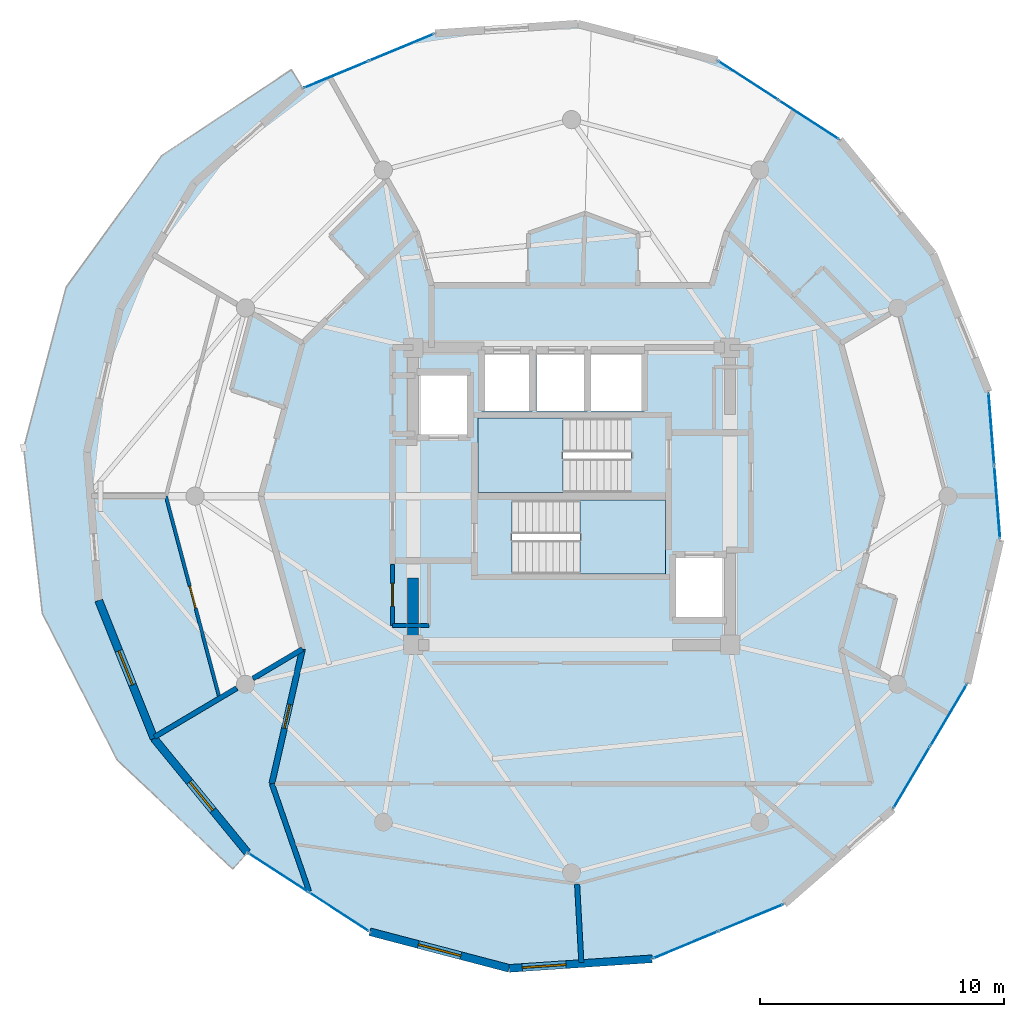
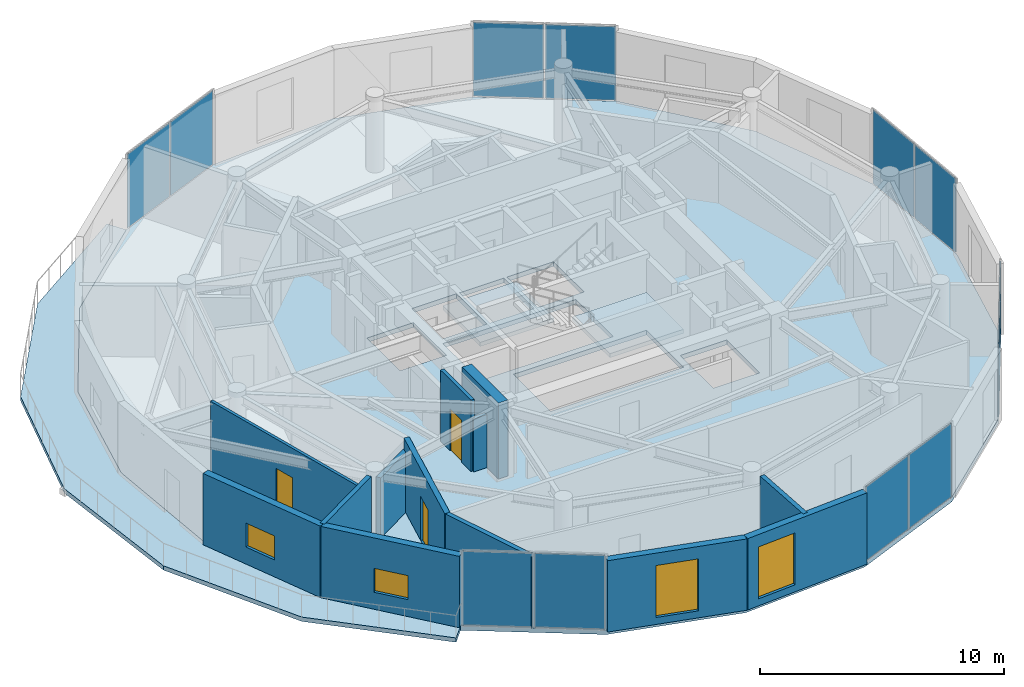
# One storey, part 11 of 17: 13 walls, 12 plates, 4 slabs, 4 windows, 3 doors, 7 openings, 8 elements without a shape of their own.
"""IFC4 building model written with IfcOpenShell, lengths in metres."""

import ifcopenshell
import ifcopenshell.guid

model = None  # the IFC model being written
_history = None  # IfcOwnerHistory: only IFC2X3 demands one
_inside = {}  # id of a spatial element -> (the spatial element, [elements in it])
_under = {}  # id of a project, library or spatial element -> (it, [spatial elements below it])
_declared = {}  # id of a project -> (the project, [libraries it declares])
_typed = {}  # id of a type object -> (the type object, [elements of that type])
_made_of = {}  # id of a material, layer set ... -> (it, [elements and type objects made of it])


def new_model(schema):
    """Start an empty IFC model of exactly this schema.

    Asked for "IFC4X3", IfcOpenShell would pick the latest addendum, in which some entities
    have other attributes; the version numbers below select the first issue.
    IFC2X3 requires an IfcOwnerHistory on every rooted entity: one is made here for all.
    """
    global model, _history
    if schema == "IFC4X3":
        model = ifcopenshell.file(schema_version=(4, 3, 0, 0))
    else:
        model = ifcopenshell.file(schema=schema)
    _inside.clear()
    _under.clear()
    _declared.clear()
    _typed.clear()
    _made_of.clear()
    _history = None
    if model.schema == "IFC2X3":
        org = make("IfcOrganization", Name="unknown")
        user = make(
            "IfcPersonAndOrganization",
            ThePerson=make("IfcPerson", FamilyName="unknown"),
            TheOrganization=org,
        )
        app = make(
            "IfcApplication",
            ApplicationDeveloper=org,
            Version="unknown",
            ApplicationFullName="unknown",
            ApplicationIdentifier="unknown",
        )
        _history = make(
            "IfcOwnerHistory",
            OwningUser=user,
            OwningApplication=app,
            ChangeAction="ADDED",
            CreationDate=0,
        )
    return model


def make(cls, **values):
    """One entity of the class cls with the attributes given. An attribute that is None is left unset."""
    return model.create_entity(
        cls, **{name: value for name, value in values.items() if value is not None}
    )


def rooted(cls, **values):
    """An entity with a GlobalId (a new one), such as an element, a storey or a relation."""
    return make(cls, GlobalId=ifcopenshell.guid.new(), OwnerHistory=_history, **values)


def si_unit(unit_type, name, prefix=None):
    """IfcSIUnit, for example si_unit("LENGTHUNIT", "METRE", prefix="MILLI")."""
    return make("IfcSIUnit", UnitType=unit_type, Prefix=prefix, Name=name)


def assignment(units):
    """IfcUnitAssignment: the units of a project."""
    return None if units is None else make("IfcUnitAssignment", Units=units)


def point(xyz):
    """IfcCartesianPoint."""
    return None if xyz is None else make("IfcCartesianPoint", Coordinates=xyz)


def direction(xyz):
    """IfcDirection."""
    return None if xyz is None else make("IfcDirection", DirectionRatios=xyz)


def frame(location, z_axis=None, x_axis=None):
    """IfcAxis2Placement3D, a coordinate frame: its origin and axes. An axis left out is left unset."""
    return make(
        "IfcAxis2Placement3D",
        Location=point(location),
        Axis=direction(z_axis),
        RefDirection=direction(x_axis),
    )


def frame_2d(location, x_axis=None):
    """IfcAxis2Placement2D, a coordinate frame in the plane: its origin and x axis."""
    return make(
        "IfcAxis2Placement2D", Location=point(location), RefDirection=direction(x_axis)
    )


def origin():
    """The frame at (0, 0, 0) with its axes left unset."""
    return frame((0.0, 0.0, 0.0))


def origin_2d():
    """The frame at (0, 0) in the plane with its x axis left unset."""
    return frame_2d((0.0, 0.0))


def place(relative_to, where):
    """IfcLocalPlacement: puts the frame where relative to a parent placement (None: the world)."""
    return make(
        "IfcLocalPlacement", PlacementRelTo=relative_to, RelativePlacement=where
    )


def context(
    kind, dimensions, precision=None, world=None, true_north=None, identifier=None
):
    """IfcGeometricRepresentationContext, for example the 3D "Model" context."""
    return make(
        "IfcGeometricRepresentationContext",
        ContextIdentifier=identifier,
        ContextType=kind,
        CoordinateSpaceDimension=dimensions,
        Precision=precision,
        WorldCoordinateSystem=world,
        TrueNorth=true_north,
    )


def subcontext(parent, identifier, kind, view, scale=None):
    """IfcGeometricRepresentationSubContext, for example "Body" below "Model"."""
    return make(
        "IfcGeometricRepresentationSubContext",
        ContextIdentifier=identifier,
        ContextType=kind,
        ParentContext=parent,
        TargetScale=scale,
        TargetView=view,
    )


def project(units=None, contexts=None):
    """IfcProject with its units and contexts."""
    return rooted(
        "IfcProject",
        Name="project",
        RepresentationContexts=contexts,
        UnitsInContext=assignment(units),
    )


def spatial(cls, under=None, at=None, **own):
    """A site, building, storey or space (cls), placed at a placement, below another one or the project."""
    s = rooted(cls, ObjectPlacement=at, **own)
    if under is not None:
        _under.setdefault(under.id(), (under, []))[1].append(s)
    return s


def polyline(points):
    """IfcPolyline through the points."""
    return make("IfcPolyline", Points=[point(p) for p in points])


def profile(cls, at=None, kind="AREA", **sizes):
    """A parametric profile (cls). Its sizes go by their IFC names, for example OverallWidth=200.0."""
    return make(cls, ProfileType=kind, Position=at, **sizes)


def rectangle(**sizes):
    """IfcRectangleProfileDef."""
    return profile("IfcRectangleProfileDef", **sizes)


def outline(outer, holes=None, kind="AREA"):
    """IfcArbitraryClosedProfileDef: a profile drawn as a closed curve; with holes, ...WithVoids."""
    if holes is None:
        return make("IfcArbitraryClosedProfileDef", ProfileType=kind, OuterCurve=outer)
    return make(
        "IfcArbitraryProfileDefWithVoids",
        ProfileType=kind,
        OuterCurve=outer,
        InnerCurves=holes,
    )


def extrude(swept, where, along, depth):
    """IfcExtrudedAreaSolid: the profile swept, set in the frame where, extruded along a direction by depth."""
    return make(
        "IfcExtrudedAreaSolid",
        SweptArea=swept,
        Position=where,
        ExtrudedDirection=direction(along),
        Depth=depth,
    )


def shape(context_of_items, identifier, shape_type, items):
    """IfcShapeRepresentation: the items that make up one representation, for example the "Body"."""
    return make(
        "IfcShapeRepresentation",
        ContextOfItems=context_of_items,
        RepresentationIdentifier=identifier,
        RepresentationType=shape_type,
        Items=items,
    )


def source(mapping_origin, context_of_items, identifier, shape_type, items):
    """IfcRepresentationMap: a shape defined once, which mapped items show again and again."""
    return make(
        "IfcRepresentationMap",
        MappingOrigin=mapping_origin,
        MappedRepresentation=shape(context_of_items, identifier, shape_type, items),
    )


def transform(
    local_origin,
    x_axis=None,
    y_axis=None,
    z_axis=None,
    scale=None,
    scale2=None,
    scale3=None,
    uniform=True,
):
    """IfcCartesianTransformationOperator3D, or its non-uniform kind. x_axis, y_axis, z_axis: its Axis1, 2, 3."""
    if uniform:
        return make(
            "IfcCartesianTransformationOperator3D",
            Axis1=direction(x_axis),
            Axis2=direction(y_axis),
            LocalOrigin=point(local_origin),
            Scale=scale,
            Axis3=direction(z_axis),
        )
    return make(
        "IfcCartesianTransformationOperator3DnonUniform",
        Axis1=direction(x_axis),
        Axis2=direction(y_axis),
        LocalOrigin=point(local_origin),
        Scale=scale,
        Axis3=direction(z_axis),
        Scale2=scale2,
        Scale3=scale3,
    )


def mapped(mapping_source, mapping_target):
    """IfcMappedItem: shows the shape of a source again, moved by a transform."""
    return make(
        "IfcMappedItem", MappingSource=mapping_source, MappingTarget=mapping_target
    )


def material(Name=None, Category=None):
    """IfcMaterial."""
    return make("IfcMaterial", Name=Name, Category=Category)


def layer(
    of_material, thickness, ventilated=None, Name=None, Category=None, Priority=None
):
    """IfcMaterialLayer: one layer of a wall or slab, of a material (None: an air gap)."""
    return make(
        "IfcMaterialLayer",
        Material=of_material,
        LayerThickness=thickness,
        IsVentilated=ventilated,
        Name=Name,
        Category=Category,
        Priority=Priority,
    )


def layer_set(layers, Name=None):
    """IfcMaterialLayerSet."""
    return make("IfcMaterialLayerSet", MaterialLayers=layers, LayerSetName=Name)


def made_of(thing, what):
    """Note that an element or type object is made of a material, layer set ...; save() writes the relation."""
    if what is not None:
        _made_of.setdefault(what.id(), (what, []))[1].append(thing)
    return thing


def type_object(cls, material=None, **own):
    """A type object (cls), such as IfcWallType, which elements share."""
    return made_of(rooted(cls, **own), material)


def element(
    cls,
    number,
    at=None,
    inside=None,
    cuts=None,
    type_object=None,
    material=None,
    context=None,
    identifier="Body",
    shape_type=None,
    held_by="IfcProductDefinitionShape",
    body=None,
    shapes=None,
    **own,
):
    """One element of the class cls, such as IfcWall. Its Tag is "e" and its number.

    at: its placement. inside: the storey or other place that contains it. cuts: it is an
    opening in that element (IfcRelVoidsElement). A single representation is given by context,
    identifier, shape_type and body (its items); several are given by shapes. held_by: the class
    of the entity that holds the representations. save() writes the other relations.
    """
    e = rooted(cls, Tag="e%d" % number, ObjectPlacement=at, **own)
    if body is not None:
        shapes = [shape(context, identifier, shape_type, body)]
    if shapes is not None:
        e.Representation = make(held_by, Representations=shapes)
    if inside is not None:
        _inside.setdefault(inside.id(), (inside, []))[1].append(e)
    if cuts is not None:
        rooted(
            "IfcRelVoidsElement", RelatingBuildingElement=cuts, RelatedOpeningElement=e
        )
    if type_object is not None:
        _typed.setdefault(type_object.id(), (type_object, []))[1].append(e)
    return made_of(e, material)


def fill(opening, filler):
    """IfcRelFillsElement: the door or window that sits in an opening."""
    return rooted(
        "IfcRelFillsElement",
        RelatingOpeningElement=opening,
        RelatedBuildingElement=filler,
    )


def aggregate(whole, parts):
    """IfcRelAggregates: a whole, such as a stair, and the parts it consists of."""
    return rooted("IfcRelAggregates", RelatingObject=whole, RelatedObjects=parts)


def save(model, path):
    """Write the relations noted so far, then the file.

    IfcRelAggregates (storeys below a building ...), IfcRelContainedInSpatialStructure (elements
    in a storey), IfcRelDefinesByType, IfcRelAssociatesMaterial and IfcRelDeclares: one each for
    every whole, place, type object, material and project.
    """
    for whole, parts in _under.values():
        aggregate(whole, parts)
    for where, things in _inside.values():
        rooted(
            "IfcRelContainedInSpatialStructure",
            RelatedElements=things,
            RelatingStructure=where,
        )
    for kind, things in _typed.values():
        rooted("IfcRelDefinesByType", RelatedObjects=things, RelatingType=kind)
    for what, things in _made_of.values():
        rooted("IfcRelAssociatesMaterial", RelatedObjects=things, RelatingMaterial=what)
    for by, libraries in _declared.values():
        rooted("IfcRelDeclares", RelatingContext=by, RelatedDefinitions=libraries)
    model.write(path)


model = new_model("IFC4")

# Units and contexts
model_context = context("Model", 3, precision=1e-05, world=origin(), true_north=direction((0.0, 1.0)))
body_context = subcontext(model_context, "Body", "Model", "MODEL_VIEW")
ifc_project = project(units=[si_unit("LENGTHUNIT", "METRE"), si_unit("AREAUNIT", "SQUARE_METRE"), si_unit("VOLUMEUNIT", "CUBIC_METRE"), si_unit("PLANEANGLEUNIT", "RADIAN"), si_unit("MASSUNIT", "GRAM", prefix="KILO")], contexts=[model_context])

# Site, building, storey
site_placement = place(None, origin())
site = spatial("IfcSite", under=ifc_project, at=site_placement, CompositionType="ELEMENT")
building_placement = place(site_placement, origin())
building = spatial("IfcBuilding", under=site, at=building_placement, Name="Solvirekh Grand Hotel", CompositionType="ELEMENT")
storey_placement = place(building_placement, frame((0.0, 0.0, 246.800048828125)))
storey = spatial("IfcBuildingStorey", under=building, at=storey_placement, Name="L64", CompositionType="ELEMENT", Elevation=246.800048828125)

# Slab
ifc_material_1 = material(Name="Concrete C50/60", Category="concrete")
ifc_layer_1 = layer(ifc_material_1, 0.215087890625)
ifc_layer_set_1 = layer_set([ifc_layer_1], Name="Concrete C50/60")
slab_type_1 = type_object("IfcSlabType", Name="ExtCrescentBalc_215", PredefinedType="FLOOR", material=ifc_layer_set_1)
slab_1_placement = place(storey_placement, frame((0.0, 0.0, -0.215087890625)))
element("IfcSlab", 1, at=slab_1_placement, inside=storey, type_object=slab_type_1, Name="L64 sweeping crescent balcony slab", PredefinedType="FLOOR", context=body_context, shape_type="SweptSolid", body=[
    extrude(outline(polyline([(-11.5009765625, 17.4970703125), (-16.827880859375, 13.9609375), (-20.739013671875, 8.573974609375), (-22.47998046875, 1.98291015625), (-21.714111328125, -4.822998046875), (-18.64208984375, -10.827880859375), (-13.902099609375, -15.29296875), (-13.301025390625, -14.623046875), (-17.135009765625, -9.93896484375), (-19.405029296875, -4.281982421875), (-19.886962890625, 1.794921875), (-18.535888671875, 7.695068359375), (-15.48193359375, 12.842041015625), (-11.02587890625, 16.73291015625), (-11.5009765625, 17.4970703125)])), origin(), (0.0, 0.0, 1.0), 0.215087890625),
])

# Stair, slab
ifc_material_2 = material(Name="Concrete C40/50", Category="concrete")
stair_type = type_object("IfcStairType", Name="Stair_Core_1450", PredefinedType="HALF_TURN_STAIR", material=ifc_material_2)
stair_1_placement = place(storey_placement, origin())
stair_1 = element("IfcStair", 2, at=stair_1_placement, inside=storey, type_object=stair_type, Name="L64 Enclosed exit stair ST-1", PredefinedType="HALF_TURN_STAIR")
ifc_layer_2 = layer(ifc_material_2, 0.199951171875)
ifc_layer_set_2 = layer_set([ifc_layer_2], Name="Concrete C40/50")
slab_type_2 = type_object("IfcSlabType", Name="Landing_Stair_200", PredefinedType="LANDING", material=ifc_layer_set_2)
slab_2_placement = place(storey_placement, frame((0.0, 0.0, 1.699951171875)))
slab_2 = element("IfcSlab", 3, at=slab_2_placement, type_object=slab_type_2, Name="ST-1 landing 1", PredefinedType="LANDING", context=body_context, shape_type="SweptSolid", body=[
    extrude(outline(polyline([(0.35009765625, -3.199951171875), (3.85009765625, -3.199951171875), (3.85009765625, -0.14990234375), (0.35009765625, -0.14990234375), (0.35009765625, -3.199951171875)])), origin(), (0.0, 0.0, 1.0), 0.199951171875),
])
aggregate(stair_1, [slab_2])

stair_2_placement = place(storey_placement, origin())
stair_2 = element("IfcStair", 4, at=stair_2_placement, inside=storey, type_object=stair_type, Name="L64 Enclosed exit stair ST-2", PredefinedType="HALF_TURN_STAIR")
slab_3_placement = place(storey_placement, frame((0.0, 0.0, 1.699951171875)))
slab_3 = element("IfcSlab", 5, at=slab_3_placement, type_object=slab_type_2, Name="ST-2 landing 1", PredefinedType="LANDING", context=body_context, shape_type="SweptSolid", body=[
    extrude(outline(polyline([(-0.35009765625, 3.199951171875), (-3.85009765625, 3.199951171875), (-3.85009765625, 0.14990234375), (-0.35009765625, 0.14990234375), (-0.35009765625, 3.199951171875)])), origin(), (0.0, 0.0, 1.0), 0.199951171875),
])
aggregate(stair_2, [slab_3])

# Slab
ifc_layer_3 = layer(ifc_material_2, 0.22998046875)
ifc_layer_set_3 = layer_set([ifc_layer_3], Name="Concrete C40/50")
slab_type_3 = type_object("IfcSlabType", Name="Slab_GuestZ4_230", PredefinedType="FLOOR", material=ifc_layer_set_3)
slab_4_placement = place(storey_placement, frame((0.0, 0.0, -0.22998046875)))
element("IfcSlab", 6, at=slab_4_placement, inside=storey, type_object=slab_type_3, Name="L64 structural floor slab", PredefinedType="FLOOR", context=body_context, shape_type="SweptSolid", body=[
    extrude(outline(polyline([(3.302978515625, -18.985107421875), (8.72607421875, -16.73291015625), (13.181884765625, -12.842041015625), (16.236083984375, -7.695068359375), (17.5869140625, -1.794921875), (17.10498046875, 4.281982421875), (14.8349609375, 9.93896484375), (11.0009765625, 14.623046875), (5.97705078125, 17.8759765625), (0.256103515625, 19.37890625), (-5.60302734375, 18.985107421875), (-11.02587890625, 16.73291015625), (-15.48193359375, 12.842041015625), (-18.535888671875, 7.695068359375), (-19.886962890625, 1.794921875), (-19.405029296875, -4.281982421875), (-17.135009765625, -9.93896484375), (-13.301025390625, -14.623046875), (-8.277099609375, -17.8759765625), (-2.555908203125, -19.37890625), (3.302978515625, -18.985107421875)]), holes=[polyline([(-2.444091796875, -0.14990234375), (3.85009765625, -0.14990234375), (3.85009765625, -3.199951171875), (-2.444091796875, -3.199951171875), (-2.444091796875, -0.14990234375)]), polyline([(2.444091796875, 0.14990234375), (-3.85009765625, 0.14990234375), (-3.85009765625, 3.199951171875), (2.444091796875, 3.199951171875), (2.444091796875, 0.14990234375)]), polyline([(-3.699951171875, 6.0), (-1.60009765625, 6.0), (-1.60009765625, 3.5), (-3.699951171875, 3.5), (-3.699951171875, 6.0)]), polyline([(-1.449951171875, 6.0), (0.64990234375, 6.0), (0.64990234375, 3.5), (-1.449951171875, 3.5), (-1.449951171875, 6.0)]), polyline([(0.800048828125, 6.0), (3.0, 6.0), (3.0, 3.5), (0.800048828125, 3.5), (0.800048828125, 6.0)]), polyline([(-6.35009765625, 5.10009765625), (-4.14990234375, 5.10009765625), (-4.14990234375, 2.39990234375), (-6.35009765625, 2.39990234375), (-6.35009765625, 5.10009765625)]), polyline([(4.14990234375, -2.39990234375), (6.35009765625, -2.39990234375), (6.35009765625, -5.10009765625), (4.14990234375, -5.10009765625), (4.14990234375, -2.39990234375)])]), origin(), (0.0, 0.0, 1.0), 0.22998046875),
])

# Curtain wall, plates
ifc_material_3 = material(Name="Anodized Bronze Aluminium 6063-T6", Category="aluminium")
ifc_layer_4 = layer(ifc_material_3, 0.159912109375)
ifc_layer_set_4 = layer_set([ifc_layer_4], Name="Anodized Bronze Aluminium 6063-T6")
curtain_wall_type = type_object("IfcCurtainWallType", Name="CW_Sys4_HighZoneFlushBronzeCW", PredefinedType="NOTDEFINED", material=ifc_layer_set_4)
curtain_wall_1_placement = place(storey_placement, origin())
curtain_wall_1 = element("IfcCurtainWall", 7, at=curtain_wall_1_placement, inside=storey, type_object=curtain_wall_type, Name="L64 unitised bronze-glass curtain wall CW-L64-C01", PredefinedType="NOTDEFINED")
ifc_material_4 = material(Name="Low-E Tinted Bronze Laminated Glass", Category="aluminium")
ifc_layer_5 = layer(ifc_material_4, 0.033935546875)
ifc_layer_set_5 = layer_set([ifc_layer_5], Name="Low-E Tinted Bronze Laminated Glass")
plate_type = type_object("IfcPlateType", Name="CWPanel_High_34", PredefinedType="CURTAIN_PANEL", material=ifc_layer_set_5)
shared_shape_1 = source(origin(), body_context, "Body", "SweptSolid", [
    extrude(rectangle(XDim=2.845947265625, YDim=0.033935546875, at=origin_2d()), origin(), (0.0, 0.0, 1.0), 3.68994140625),
])
plate_1_placement = place(storey_placement, frame((4.672607421875, -18.416259765625, 0.054931640625), z_axis=(0.0, 0.0, 1.0), x_axis=(0.923534766126, 0.383514713871, 0.0)))
plate_1 = element("IfcPlate", 8, at=plate_1_placement, type_object=plate_type, Name="U04 panel 1.1", PredefinedType="CURTAIN_PANEL", context=body_context, shape_type="MappedRepresentation", body=[
    mapped(shared_shape_1, transform((0.0, 0.0, 0.0), x_axis=(1.0, 0.0, 0.0), y_axis=(0.0, 1.0, 0.0), z_axis=(0.0, 0.0, 1.0), scale=1.0)),
])
plate_2_placement = place(storey_placement, frame((7.3564453125, -17.3017578125, 0.054931640625), z_axis=(0.0, 0.0, 1.0), x_axis=(0.923534766126, 0.383514713871, 0.0)))
plate_2 = element("IfcPlate", 9, at=plate_2_placement, type_object=plate_type, Name="U04 panel 2.1", PredefinedType="CURTAIN_PANEL", context=body_context, shape_type="MappedRepresentation", body=[
    mapped(shared_shape_1, transform((0.0, 0.0, 0.0), x_axis=(1.0, 0.0, 0.0), y_axis=(0.0, 1.0, 0.0), z_axis=(0.0, 0.0, 1.0), scale=1.0)),
])
aggregate(curtain_wall_1, [plate_1, plate_2])

curtain_wall_2_placement = place(storey_placement, origin())
curtain_wall_2 = element("IfcCurtainWall", 10, at=curtain_wall_2_placement, inside=storey, type_object=curtain_wall_type, Name="L64 unitised bronze-glass curtain wall CW-L64-C11", PredefinedType="NOTDEFINED")
plate_3_placement = place(storey_placement, frame((-6.97265625, 18.416259765625, 0.054931640625), z_axis=(0.0, 0.0, 1.0), x_axis=(-0.923534766126, -0.383514713871, 0.0)))
plate_3 = element("IfcPlate", 11, at=plate_3_placement, type_object=plate_type, Name="U04 panel 1.1", PredefinedType="CURTAIN_PANEL", context=body_context, shape_type="MappedRepresentation", body=[
    mapped(shared_shape_1, transform((0.0, 0.0, 0.0), x_axis=(1.0, 0.0, 0.0), y_axis=(0.0, 1.0, 0.0), z_axis=(0.0, 0.0, 1.0), scale=1.0)),
])
plate_4_placement = place(storey_placement, frame((-9.656494140625, 17.3017578125, 0.054931640625), z_axis=(0.0, 0.0, 1.0), x_axis=(-0.923534766126, -0.383514713871, 0.0)))
plate_4 = element("IfcPlate", 12, at=plate_4_placement, type_object=plate_type, Name="U04 panel 2.1", PredefinedType="CURTAIN_PANEL", context=body_context, shape_type="MappedRepresentation", body=[
    mapped(shared_shape_1, transform((0.0, 0.0, 0.0), x_axis=(1.0, 0.0, 0.0), y_axis=(0.0, 1.0, 0.0), z_axis=(0.0, 0.0, 1.0), scale=1.0)),
])
aggregate(curtain_wall_2, [plate_3, plate_4])

curtain_wall_3_placement = place(storey_placement, origin())
curtain_wall_3 = element("IfcCurtainWall", 13, at=curtain_wall_3_placement, inside=storey, type_object=curtain_wall_type, Name="L64 unitised bronze-glass curtain wall CW-L64-C03", PredefinedType="NOTDEFINED")
shared_shape_2 = source(origin(), body_context, "Body", "SweptSolid", [
    extrude(rectangle(XDim=2.90234375, YDim=0.033935546875, at=origin_2d()), origin(), (0.0, 0.0, 1.0), 3.68994140625),
])
plate_5_placement = place(storey_placement, frame((13.953125, -11.542236328125, 0.054931640625), z_axis=(0.0, 0.0, 1.0), x_axis=(0.5102877983, 0.860003699356, 0.0)))
plate_5 = element("IfcPlate", 14, at=plate_5_placement, type_object=plate_type, Name="U04 panel 1.1", PredefinedType="CURTAIN_PANEL", context=body_context, shape_type="MappedRepresentation", body=[
    mapped(shared_shape_2, transform((0.0, 0.0, 0.0), x_axis=(1.0, 0.0, 0.0), y_axis=(0.0, 1.0, 0.0), z_axis=(0.0, 0.0, 1.0), scale=1.0)),
])
plate_6_placement = place(storey_placement, frame((15.46484375, -8.99462890625, 0.054931640625), z_axis=(0.0, 0.0, 1.0), x_axis=(0.5102877983, 0.860003699356, 0.0)))
plate_6 = element("IfcPlate", 15, at=plate_6_placement, type_object=plate_type, Name="U04 panel 2.1", PredefinedType="CURTAIN_PANEL", context=body_context, shape_type="MappedRepresentation", body=[
    mapped(shared_shape_2, transform((0.0, 0.0, 0.0), x_axis=(1.0, 0.0, 0.0), y_axis=(0.0, 1.0, 0.0), z_axis=(0.0, 0.0, 1.0), scale=1.0)),
])
aggregate(curtain_wall_3, [plate_5, plate_6])

curtain_wall_4_placement = place(storey_placement, origin())
curtain_wall_4 = element("IfcCurtainWall", 16, at=curtain_wall_4_placement, inside=storey, type_object=curtain_wall_type, Name="L64 unitised bronze-glass curtain wall CW-L64-C08", PredefinedType="NOTDEFINED")
shared_shape_3 = source(origin(), body_context, "Body", "SweptSolid", [
    extrude(rectangle(XDim=2.902587890625, YDim=0.033935546875, at=origin_2d()), origin(), (0.0, 0.0, 1.0), 3.68994140625),
])
plate_7_placement = place(storey_placement, frame((9.732421875, 15.4443359375, 0.054931640625), z_axis=(0.0, 0.0, 1.0), x_axis=(-0.839404261681, 0.543507576279, 0.0)))
plate_7 = element("IfcPlate", 17, at=plate_7_placement, type_object=plate_type, Name="U04 panel 1.1", PredefinedType="CURTAIN_PANEL", context=body_context, shape_type="MappedRepresentation", body=[
    mapped(shared_shape_3, transform((0.0, 0.0, 0.0), x_axis=(1.0, 0.0, 0.0), y_axis=(0.0, 1.0, 0.0), z_axis=(0.0, 0.0, 1.0), scale=1.0)),
])
plate_8_placement = place(storey_placement, frame((7.24560546875, 17.0546875, 0.054931640625), z_axis=(0.0, 0.0, 1.0), x_axis=(-0.839404261681, 0.543507576279, 0.0)))
plate_8 = element("IfcPlate", 18, at=plate_8_placement, type_object=plate_type, Name="U04 panel 2.1", PredefinedType="CURTAIN_PANEL", context=body_context, shape_type="MappedRepresentation", body=[
    mapped(shared_shape_3, transform((0.0, 0.0, 0.0), x_axis=(1.0, 0.0, 0.0), y_axis=(0.0, 1.0, 0.0), z_axis=(0.0, 0.0, 1.0), scale=1.0)),
])
aggregate(curtain_wall_4, [plate_7, plate_8])

curtain_wall_5_placement = place(storey_placement, origin())
curtain_wall_5 = element("IfcCurtainWall", 19, at=curtain_wall_5_placement, inside=storey, type_object=curtain_wall_type, Name="L64 unitised bronze-glass curtain wall CW-L64-C18", PredefinedType="NOTDEFINED")
plate_9_placement = place(storey_placement, frame((-12.032470703125, -15.4443359375, 0.054931640625), z_axis=(0.0, 0.0, 1.0), x_axis=(0.839404261681, -0.543507576279, 0.0)))
plate_9 = element("IfcPlate", 20, at=plate_9_placement, type_object=plate_type, Name="U04 panel 1.1", PredefinedType="CURTAIN_PANEL", context=body_context, shape_type="MappedRepresentation", body=[
    mapped(shared_shape_3, transform((0.0, 0.0, 0.0), x_axis=(1.0, 0.0, 0.0), y_axis=(0.0, 1.0, 0.0), z_axis=(0.0, 0.0, 1.0), scale=1.0)),
])
plate_10_placement = place(storey_placement, frame((-9.545654296875, -17.0546875, 0.054931640625), z_axis=(0.0, 0.0, 1.0), x_axis=(0.839404261681, -0.543507576279, 0.0)))
plate_10 = element("IfcPlate", 21, at=plate_10_placement, type_object=plate_type, Name="U04 panel 2.1", PredefinedType="CURTAIN_PANEL", context=body_context, shape_type="MappedRepresentation", body=[
    mapped(shared_shape_3, transform((0.0, 0.0, 0.0), x_axis=(1.0, 0.0, 0.0), y_axis=(0.0, 1.0, 0.0), z_axis=(0.0, 0.0, 1.0), scale=1.0)),
])
aggregate(curtain_wall_5, [plate_9, plate_10])

curtain_wall_6_placement = place(storey_placement, origin())
curtain_wall_6 = element("IfcCurtainWall", 22, at=curtain_wall_6_placement, inside=storey, type_object=curtain_wall_type, Name="L64 unitised bronze-glass curtain wall CW-L64-C05", PredefinedType="NOTDEFINED")
shared_shape_4 = source(origin(), body_context, "Body", "SweptSolid", [
    extrude(rectangle(XDim=2.9580078125, YDim=0.033935546875, at=origin_2d()), origin(), (0.0, 0.0, 1.0), 3.68994140625),
])
plate_11_placement = place(storey_placement, frame((17.46533203125, -0.2607421875, 0.054931640625), z_axis=(0.0, 0.0, 1.0), x_axis=(-0.079067138283, 0.996869293159, 0.0)))
plate_11 = element("IfcPlate", 23, at=plate_11_placement, type_object=plate_type, Name="U04 panel 1.1", PredefinedType="CURTAIN_PANEL", context=body_context, shape_type="MappedRepresentation", body=[
    mapped(shared_shape_4, transform((0.0, 0.0, 0.0), x_axis=(1.0, 0.0, 0.0), y_axis=(0.0, 1.0, 0.0), z_axis=(0.0, 0.0, 1.0), scale=1.0)),
])
plate_12_placement = place(storey_placement, frame((17.226806640625, 2.747802734375, 0.054931640625), z_axis=(0.0, 0.0, 1.0), x_axis=(-0.079067138283, 0.996869293159, 0.0)))
plate_12 = element("IfcPlate", 24, at=plate_12_placement, type_object=plate_type, Name="U04 panel 2.1", PredefinedType="CURTAIN_PANEL", context=body_context, shape_type="MappedRepresentation", body=[
    mapped(shared_shape_4, transform((0.0, 0.0, 0.0), x_axis=(1.0, 0.0, 0.0), y_axis=(0.0, 1.0, 0.0), z_axis=(0.0, 0.0, 1.0), scale=1.0)),
])
aggregate(curtain_wall_6, [plate_11, plate_12])

# Wall
ifc_layer_6 = layer(ifc_material_1, 0.449951171875)
ifc_layer_set_6 = layer_set([ifc_layer_6], Name="Concrete C50/60")
wall_type_1 = type_object("IfcWallType", Name="CoreWall_RC450", PredefinedType="SHEAR", material=ifc_layer_set_6)
wall_1_placement = place(storey_placement, frame((-6.5, -6.324951171875, 0.0), z_axis=(0.0, 0.0, 1.0), x_axis=(0.0, 1.0, 0.0)))
element("IfcWall", 25, at=wall_1_placement, inside=storey, type_object=wall_type_1, Name="L64 core corner shear wall WS-W", PredefinedType="SHEAR", context=body_context, shape_type="SweptSolid", body=[
    extrude(rectangle(XDim=2.974853515625, YDim=0.449951171875, at=frame_2d((1.4873046875, 0.0))), origin(), (0.0, 0.0, 1.0), 3.800048828125),
])

# Wall, opening, window
ifc_material_5 = material(Name="Precast concrete C45/55", Category="concrete")
ifc_layer_7 = layer(ifc_material_5, 0.320068359375)
ifc_layer_set_7 = layer_set([ifc_layer_7], Name="Precast concrete C45/55")
wall_type_2 = type_object("IfcWallType", Name="ExtLobbyWall_RC320", PredefinedType="SOLIDWALL", material=ifc_layer_set_7)
wall_2_placement = place(storey_placement, frame((-17.135009765625, -9.93896484375, 0.0), z_axis=(0.0, 0.0, 1.0), x_axis=(-0.372412492589, 0.928067311871, 0.0)))
wall_2 = element("IfcWall", 26, at=wall_2_placement, inside=storey, type_object=wall_type_2, Name="L64 cantilevered deck support wall chord 16", PredefinedType="SOLIDWALL", context=body_context, shape_type="SweptSolid", body=[
    extrude(rectangle(XDim=6.095458984375, YDim=0.320068359375, at=frame_2d((3.0478515625, 0.0))), origin(), (0.0, 0.0, 1.0), 3.570068359375),
])
opening_1_placement = place(wall_2_placement, frame((2.3701171875, 0.0, 0.85009765625)))
opening_1 = element("IfcOpeningElement", 27, at=opening_1_placement, cuts=wall_2, Name="Opening W05", PredefinedType="OPENING", context=body_context, shape_type="SweptSolid", body=[
    extrude(rectangle(XDim=1.5, YDim=1.199951171875, at=frame_2d((0.75, 0.60009765625))), frame((0.0, 0.169921875, 0.0), z_axis=(0.0, -1.0, 0.0), x_axis=(1.0, 0.0, 0.0)), (0.0, 0.0, 1.0), 0.340087890625),
])
window_type_1 = type_object("IfcWindowType", Name="Win_PlantVent_1500X1200", PartitioningType="SINGLE_PANEL", PredefinedType="WINDOW", material=ifc_material_4)
window_1_placement = place(opening_1_placement, origin())
window_1 = element("IfcWindow", 28, at=window_1_placement, inside=storey, type_object=window_type_1, Name="L64 bronze-framed vision ribbon window 16", OverallHeight=1.199951171875, OverallWidth=1.5, PartitioningType="SINGLE_PANEL", PredefinedType="WINDOW", context=body_context, shape_type="SweptSolid", body=[
    extrude(rectangle(XDim=1.5, YDim=1.199951171875, at=frame_2d((0.75, 0.60009765625))), frame((0.0, 0.030029296875, 0.0), z_axis=(0.0, -1.0, 0.0), x_axis=(1.0, 0.0, 0.0)), (0.0, 0.0, 1.0), 0.06005859375),
])
fill(opening_1, window_1)

wall_3_placement = place(storey_placement, frame((-13.301025390625, -14.623046875, 0.0), z_axis=(0.0, 0.0, 1.0), x_axis=(-0.633391522875, 0.773831492478, 0.0)))
wall_3 = element("IfcWall", 29, at=wall_3_placement, inside=storey, type_object=wall_type_2, Name="L64 cantilevered deck support wall chord 17", PredefinedType="SOLIDWALL", context=body_context, shape_type="SweptSolid", body=[
    extrude(rectangle(XDim=6.05322265625, YDim=0.320068359375, at=frame_2d((3.026611328125, 0.0))), origin(), (0.0, 0.0, 1.0), 3.570068359375),
])
opening_2_placement = place(wall_3_placement, frame((2.241943359375, 0.0, 0.85009765625)))
opening_2 = element("IfcOpeningElement", 30, at=opening_2_placement, cuts=wall_3, Name="Opening W05", PredefinedType="OPENING", context=body_context, shape_type="SweptSolid", body=[
    extrude(rectangle(XDim=1.5, YDim=1.199951171875, at=frame_2d((0.75, 0.60009765625))), frame((0.0, 0.169921875, 0.0), z_axis=(0.0, -1.0, 0.0), x_axis=(1.0, 0.0, 0.0)), (0.0, 0.0, 1.0), 0.340087890625),
])
window_2_placement = place(opening_2_placement, origin())
window_2 = element("IfcWindow", 31, at=window_2_placement, inside=storey, type_object=window_type_1, Name="L64 bronze-framed vision ribbon window 17", OverallHeight=1.199951171875, OverallWidth=1.5, PartitioningType="SINGLE_PANEL", PredefinedType="WINDOW", context=body_context, shape_type="SweptSolid", body=[
    extrude(rectangle(XDim=1.5, YDim=1.199951171875, at=frame_2d((0.75, 0.60009765625))), frame((0.0, 0.030029296875, 0.0), z_axis=(0.0, -1.0, 0.0), x_axis=(1.0, 0.0, 0.0)), (0.0, 0.0, 1.0), 0.06005859375),
])
fill(opening_2, window_2)

wall_4_placement = place(storey_placement, frame((-2.555908203125, -19.37890625, 0.0), z_axis=(0.0, 0.0, 1.0), x_axis=(-0.96718457854, 0.254074774494, 0.0)))
wall_4 = element("IfcWall", 32, at=wall_4_placement, inside=storey, type_object=wall_type_2, Name="L64 exterior structural wall chord 19", PredefinedType="SOLIDWALL", context=body_context, shape_type="SweptSolid", body=[
    extrude(rectangle(XDim=5.915283203125, YDim=0.320068359375, at=frame_2d((2.95751953125, 0.0))), origin(), (0.0, 0.0, 1.0), 3.570068359375),
])
opening_3_placement = place(wall_4_placement, frame((2.05810546875, 0.0, 0.35009765625)))
opening_3 = element("IfcOpeningElement", 33, at=opening_3_placement, cuts=wall_4, Name="Opening W02", PredefinedType="OPENING", context=body_context, shape_type="SweptSolid", body=[
    extrude(rectangle(XDim=1.800048828125, YDim=2.60009765625, at=frame_2d((0.89990234375, 1.300048828125))), frame((0.0, 0.169921875, 0.0), z_axis=(0.0, -1.0, 0.0), x_axis=(1.0, 0.0, 0.0)), (0.0, 0.0, 1.0), 0.340087890625),
])
window_type_2 = type_object("IfcWindowType", Name="Win_LobbyExt_1800X2600", PartitioningType="SINGLE_PANEL", PredefinedType="WINDOW", material=ifc_material_4)
window_3_placement = place(opening_3_placement, origin())
window_3 = element("IfcWindow", 34, at=window_3_placement, inside=storey, type_object=window_type_2, Name="L64 panoramic bronze-framed window 19", OverallHeight=2.60009765625, OverallWidth=1.800048828125, PartitioningType="SINGLE_PANEL", PredefinedType="WINDOW", context=body_context, shape_type="SweptSolid", body=[
    extrude(rectangle(XDim=1.800048828125, YDim=2.60009765625, at=frame_2d((0.89990234375, 1.300048828125))), frame((0.0, 0.030029296875, 0.0), z_axis=(0.0, -1.0, 0.0), x_axis=(1.0, 0.0, 0.0)), (0.0, 0.0, 1.0), 0.06005859375),
])
fill(opening_3, window_3)

wall_5_placement = place(storey_placement, frame((3.302978515625, -18.985107421875, 0.0), z_axis=(0.0, 0.0, 1.0), x_axis=(-0.997748768453, -0.067062620365, 0.0)))
wall_5 = element("IfcWall", 35, at=wall_5_placement, inside=storey, type_object=wall_type_2, Name="L64 exterior structural wall chord 20", PredefinedType="SOLIDWALL", context=body_context, shape_type="SweptSolid", body=[
    extrude(rectangle(XDim=5.8720703125, YDim=0.320068359375, at=frame_2d((2.93603515625, 0.0))), origin(), (0.0, 0.0, 1.0), 3.570068359375),
])
opening_4_placement = place(wall_5_placement, frame((3.5390625, 0.0, 0.35009765625)))
opening_4 = element("IfcOpeningElement", 36, at=opening_4_placement, cuts=wall_5, Name="Opening W02", PredefinedType="OPENING", context=body_context, shape_type="SweptSolid", body=[
    extrude(rectangle(XDim=1.800048828125, YDim=2.60009765625, at=frame_2d((0.89990234375, 1.300048828125))), frame((0.0, 0.169921875, 0.0), z_axis=(0.0, -1.0, 0.0), x_axis=(1.0, 0.0, 0.0)), (0.0, 0.0, 1.0), 0.340087890625),
])
window_4_placement = place(opening_4_placement, origin())
window_4 = element("IfcWindow", 37, at=window_4_placement, inside=storey, type_object=window_type_2, Name="L64 panoramic bronze-framed window 20", OverallHeight=2.60009765625, OverallWidth=1.800048828125, PartitioningType="SINGLE_PANEL", PredefinedType="WINDOW", context=body_context, shape_type="SweptSolid", body=[
    extrude(rectangle(XDim=1.800048828125, YDim=2.60009765625, at=frame_2d((0.89990234375, 1.300048828125))), frame((0.0, 0.030029296875, 0.0), z_axis=(0.0, -1.0, 0.0), x_axis=(1.0, 0.0, 0.0)), (0.0, 0.0, 1.0), 0.06005859375),
])
fill(opening_4, window_4)

# Wall
ifc_material_6 = material(Name="Acoustic Gypsum Partition Assembly")
ifc_layer_8 = layer(ifc_material_6, 0.1650390625)
ifc_layer_set_8 = layer_set([ifc_layer_8], Name="Acoustic Gypsum Partition Assembly")
wall_type_3 = type_object("IfcWallType", Name="Part_BOH_165", PredefinedType="PARTITIONING", material=ifc_layer_set_8)
wall_6_placement = place(storey_placement, frame((-7.35009765625, -5.300048828125, 0.0), z_axis=(0.0, 0.0, 1.0), x_axis=(1.0, 0.0, 0.0)))
element("IfcWall", 38, at=wall_6_placement, inside=storey, type_object=wall_type_3, Name="L64 L64 Core Linen Store wall 1", PredefinedType="PARTITIONING", context=body_context, shape_type="SweptSolid", body=[
    extrude(rectangle(XDim=1.5, YDim=0.1650390625, at=frame_2d((0.75, 0.0))), origin(), (0.0, 0.0, 1.0), 2.655029296875),
])

# Wall, opening, door
wall_7_placement = place(storey_placement, frame((-7.35009765625, -2.800048828125, 0.0), z_axis=(0.0, 0.0, 1.0), x_axis=(0.0, -1.0, 0.0)))
wall_7 = element("IfcWall", 39, at=wall_7_placement, inside=storey, type_object=wall_type_3, Name="L64 L64 Core Linen Store wall 4", PredefinedType="PARTITIONING", context=body_context, shape_type="SweptSolid", body=[
    extrude(rectangle(XDim=2.5, YDim=0.1650390625, at=frame_2d((1.25, 0.0))), origin(), (0.0, 0.0, 1.0), 3.570068359375),
])
opening_5_placement = place(wall_7_placement, frame((0.77490234375, 0.0, 0.0)))
opening_5 = element("IfcOpeningElement", 40, at=opening_5_placement, cuts=wall_7, Name="Opening D10", PredefinedType="OPENING", context=body_context, shape_type="SweptSolid", body=[
    extrude(rectangle(XDim=0.949951171875, YDim=2.10009765625, at=frame_2d((0.47509765625, 1.050048828125))), frame((0.0, 0.092529296875, 0.0), z_axis=(0.0, -1.0, 0.0), x_axis=(1.0, 0.0, 0.0)), (0.0, 0.0, 1.0), 0.18505859375),
])
door_type_1 = type_object("IfcDoorType", Name="Door_RoomInt_950X2100", OperationType="NOTDEFINED", PredefinedType="DOOR", material=ifc_material_3)
door_1_placement = place(opening_5_placement, origin())
door_1 = element("IfcDoor", 41, at=door_1_placement, inside=storey, type_object=door_type_1, Name="L64 L64 Core Linen Store door", OperationType="SINGLE_SWING_LEFT", OverallHeight=2.10009765625, OverallWidth=0.949951171875, PredefinedType="DOOR", context=body_context, shape_type="SweptSolid", body=[
    extrude(rectangle(XDim=0.949951171875, YDim=2.10009765625, at=frame_2d((0.47509765625, 1.050048828125))), frame((0.0, 0.02490234375, 0.0), z_axis=(0.0, -1.0, 0.0), x_axis=(1.0, 0.0, 0.0)), (0.0, 0.0, 1.0), 0.050048828125),
])
fill(opening_5, door_1)

ifc_layer_9 = layer(ifc_material_6, 0.239990234375)
ifc_layer_set_9 = layer_set([ifc_layer_9], Name="Acoustic Gypsum Partition Assembly")
wall_type_4 = type_object("IfcWallType", Name="Part_Corridor_240", PredefinedType="PARTITIONING", material=ifc_layer_set_9)
wall_8_placement = place(storey_placement, frame((-11.0419921875, -6.27490234375, 0.0), z_axis=(0.0, 0.0, 1.0), x_axis=(-0.222014008723, -0.975043475918, 0.0)))
wall_8 = element("IfcWall", 42, at=wall_8_placement, inside=storey, type_object=wall_type_4, Name="L64 L64 South-West Study Lounge entrance wall", PredefinedType="PARTITIONING", context=body_context, shape_type="SweptSolid", body=[
    extrude(rectangle(XDim=5.66650390625, YDim=0.239990234375, at=frame_2d((2.833251953125, 0.0))), origin(), (0.0, 0.0, 1.0), 3.570068359375),
])
opening_6_placement = place(wall_8_placement, frame((2.3330078125, 0.0, 0.0)))
opening_6 = element("IfcOpeningElement", 43, at=opening_6_placement, cuts=wall_8, Name="Opening D07", PredefinedType="OPENING", context=body_context, shape_type="SweptSolid", body=[
    extrude(rectangle(XDim=1.0, YDim=2.199951171875, at=frame_2d((0.5, 1.10009765625))), frame((0.0, 0.1298828125, 0.0), z_axis=(0.0, -1.0, 0.0), x_axis=(1.0, 0.0, 0.0)), (0.0, 0.0, 1.0), 0.260009765625),
])
ifc_material_7 = material(Name="Fire-Rated Steel Door Assembly", Category="steel")
door_type_2 = type_object("IfcDoorType", Name="Door_GuestEntry_1000X2200", OperationType="NOTDEFINED", PredefinedType="DOOR", material=ifc_material_7)
door_2_placement = place(opening_6_placement, origin())
door_2 = element("IfcDoor", 44, at=door_2_placement, inside=storey, type_object=door_type_2, Name="L64 L64 South-West Study Lounge entrance door", OperationType="SINGLE_SWING_LEFT", OverallHeight=2.199951171875, OverallWidth=1.0, PredefinedType="DOOR", context=body_context, shape_type="SweptSolid", body=[
    extrude(rectangle(XDim=1.0, YDim=2.199951171875, at=frame_2d((0.5, 1.10009765625))), frame((0.0, 0.02490234375, 0.0), z_axis=(0.0, -1.0, 0.0), x_axis=(1.0, 0.0, 0.0)), (0.0, 0.0, 1.0), 0.050048828125),
])
fill(opening_6, door_2)

ifc_layer_10 = layer(ifc_material_6, 0.135009765625)
ifc_layer_set_10 = layer_set([ifc_layer_10], Name="Acoustic Gypsum Partition Assembly")
wall_type_5 = type_object("IfcWallType", Name="Part_RoomInt_135", PredefinedType="PARTITIONING", material=ifc_layer_set_10)
wall_9_placement = place(storey_placement, frame((-16.64501953125, 0.0, 0.0), z_axis=(0.0, 0.0, 1.0), x_axis=(0.256566495237, -0.966526581901, 0.0)))
wall_9 = element("IfcWall", 45, at=wall_9_placement, inside=storey, type_object=wall_type_5, Name="L64 Executive Suite 6604 Panorama Suite Study bedroom screen wall", PredefinedType="PARTITIONING", context=body_context, shape_type="SweptSolid", body=[
    extrude(rectangle(XDim=8.582275390625, YDim=0.135009765625, at=frame_2d((4.291015625, 0.0))), origin(), (0.0, 0.0, 1.0), 3.570068359375),
])
opening_7_placement = place(wall_9_placement, frame((3.81591796875, 0.0, 0.0)))
opening_7 = element("IfcOpeningElement", 46, at=opening_7_placement, cuts=wall_9, Name="Opening D10", PredefinedType="OPENING", context=body_context, shape_type="SweptSolid", body=[
    extrude(rectangle(XDim=0.949951171875, YDim=2.10009765625, at=frame_2d((0.47509765625, 1.050048828125))), frame((0.0, 0.07763671875, 0.0), z_axis=(0.0, -1.0, 0.0), x_axis=(1.0, 0.0, 0.0)), (0.0, 0.0, 1.0), 0.155029296875),
])
door_3_placement = place(opening_7_placement, origin())
door_3 = element("IfcDoor", 47, at=door_3_placement, inside=storey, type_object=door_type_1, Name="L64 Executive Suite 6604 Panorama Suite Study master bedroom door", OperationType="SINGLE_SWING_LEFT", OverallHeight=2.10009765625, OverallWidth=0.949951171875, PredefinedType="DOOR", context=body_context, shape_type="SweptSolid", body=[
    extrude(rectangle(XDim=0.949951171875, YDim=2.10009765625, at=frame_2d((0.47509765625, 1.050048828125))), frame((0.0, 0.02490234375, 0.0), z_axis=(0.0, -1.0, 0.0), x_axis=(1.0, 0.0, 0.0)), (0.0, 0.0, 1.0), 0.050048828125),
])
fill(opening_7, door_3)

# Walls
ifc_layer_11 = layer(ifc_material_6, 0.2099609375)
ifc_layer_set_11 = layer_set([ifc_layer_11], Name="Acoustic Gypsum Partition Assembly")
wall_type_6 = type_object("IfcWallType", Name="Part_SuiteDemise_210", PredefinedType="PARTITIONING", material=ifc_layer_set_11)
wall_10_placement = place(storey_placement, frame((-11.0419921875, -6.27490234375, 0.0), z_axis=(0.0, 0.0, 1.0), x_axis=(-0.859685751386, -0.510823265781, 0.0)))
element("IfcWall", 48, at=wall_10_placement, inside=storey, type_object=wall_type_6, Name="L64 suite radial wall 8 (A)", PredefinedType="PARTITIONING", context=body_context, shape_type="SweptSolid", body=[
    extrude(rectangle(XDim=2.359130859375, YDim=0.2099609375, at=frame_2d((1.1796875, 0.0))), origin(), (0.0, 0.0, 1.0), 3.010986328125),
])
wall_11_placement = place(storey_placement, frame((-13.743896484375, -7.8798828125, 0.0), z_axis=(0.0, 0.0, 1.0), x_axis=(-0.8597863995, -0.510653842867, 0.0)))
element("IfcWall", 49, at=wall_11_placement, inside=storey, type_object=wall_type_6, Name="L64 suite radial wall 8 (B)", PredefinedType="PARTITIONING", context=body_context, shape_type="SweptSolid", body=[
    extrude(rectangle(XDim=3.9208984375, YDim=0.2099609375, at=frame_2d((1.96044921875, 0.0))), origin(), (0.0, 0.0, 1.0), 3.570068359375),
])
wall_12_placement = place(storey_placement, frame((-12.300048828125, -11.800048828125, 0.0), z_axis=(0.0, 0.0, 1.0), x_axis=(0.327216501768, -0.944949395984, 0.0)))
element("IfcWall", 50, at=wall_12_placement, inside=storey, type_object=wall_type_6, Name="L64 L64 Sky Club Reading Lounge dividing partition 2", PredefinedType="PARTITIONING", context=body_context, shape_type="SweptSolid", body=[
    extrude(rectangle(XDim=4.669921875, YDim=0.2099609375, at=frame_2d((2.3349609375, 0.0))), origin(), (0.0, 0.0, 1.0), 3.570068359375),
])
wall_13_placement = place(storey_placement, frame((0.22509765625, -15.909912109375, 0.0), z_axis=(0.0, 0.0, 1.0), x_axis=(0.054341356021, -0.998522416887, 0.0)))
element("IfcWall", 51, at=wall_13_placement, inside=storey, type_object=wall_type_6, Name="L64 L64 South Horizon Conservatory dividing partition 1", PredefinedType="PARTITIONING", context=body_context, shape_type="SweptSolid", body=[
    extrude(rectangle(XDim=3.23486328125, YDim=0.2099609375, at=frame_2d((1.617431640625, 0.0))), origin(), (0.0, 0.0, 1.0), 3.570068359375),
])

save(model, "model.ifc")
